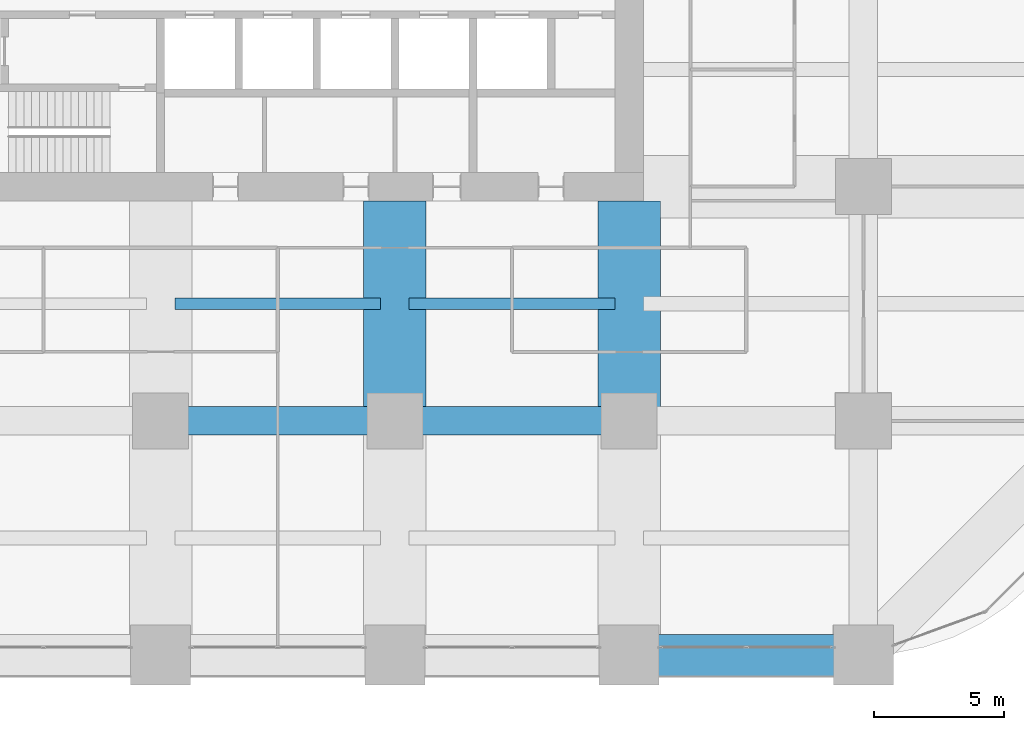
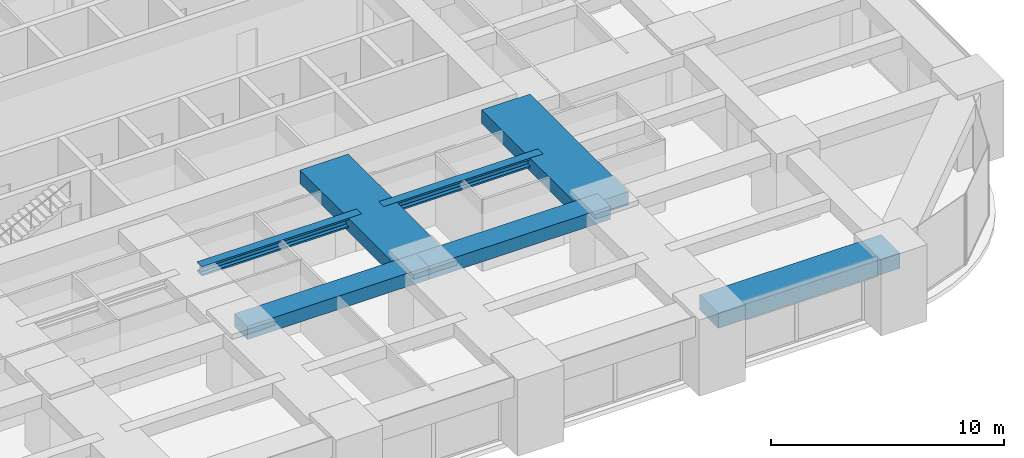
# One storey, part 14 of 43: 7 beams.
"""IFC4 building model written with IfcOpenShell, lengths in metres."""

import ifcopenshell
import ifcopenshell.guid

model = None  # the IFC model being written
_history = None  # IfcOwnerHistory: only IFC2X3 demands one
_inside = {}  # id of a spatial element -> (the spatial element, [elements in it])
_under = {}  # id of a project, library or spatial element -> (it, [spatial elements below it])
_declared = {}  # id of a project -> (the project, [libraries it declares])
_typed = {}  # id of a type object -> (the type object, [elements of that type])
_made_of = {}  # id of a material, layer set ... -> (it, [elements and type objects made of it])


def new_model(schema):
    """Start an empty IFC model of exactly this schema.

    Asked for "IFC4X3", IfcOpenShell would pick the latest addendum, in which some entities
    have other attributes; the version numbers below select the first issue.
    IFC2X3 requires an IfcOwnerHistory on every rooted entity: one is made here for all.
    """
    global model, _history
    if schema == "IFC4X3":
        model = ifcopenshell.file(schema_version=(4, 3, 0, 0))
    else:
        model = ifcopenshell.file(schema=schema)
    _inside.clear()
    _under.clear()
    _declared.clear()
    _typed.clear()
    _made_of.clear()
    _history = None
    if model.schema == "IFC2X3":
        org = make("IfcOrganization", Name="unknown")
        user = make(
            "IfcPersonAndOrganization",
            ThePerson=make("IfcPerson", FamilyName="unknown"),
            TheOrganization=org,
        )
        app = make(
            "IfcApplication",
            ApplicationDeveloper=org,
            Version="unknown",
            ApplicationFullName="unknown",
            ApplicationIdentifier="unknown",
        )
        _history = make(
            "IfcOwnerHistory",
            OwningUser=user,
            OwningApplication=app,
            ChangeAction="ADDED",
            CreationDate=0,
        )
    return model


def make(cls, **values):
    """One entity of the class cls with the attributes given. An attribute that is None is left unset."""
    return model.create_entity(
        cls, **{name: value for name, value in values.items() if value is not None}
    )


def rooted(cls, **values):
    """An entity with a GlobalId (a new one), such as an element, a storey or a relation."""
    return make(cls, GlobalId=ifcopenshell.guid.new(), OwnerHistory=_history, **values)


def si_unit(unit_type, name, prefix=None):
    """IfcSIUnit, for example si_unit("LENGTHUNIT", "METRE", prefix="MILLI")."""
    return make("IfcSIUnit", UnitType=unit_type, Prefix=prefix, Name=name)


def assignment(units):
    """IfcUnitAssignment: the units of a project."""
    return None if units is None else make("IfcUnitAssignment", Units=units)


def point(xyz):
    """IfcCartesianPoint."""
    return None if xyz is None else make("IfcCartesianPoint", Coordinates=xyz)


def direction(xyz):
    """IfcDirection."""
    return None if xyz is None else make("IfcDirection", DirectionRatios=xyz)


def frame(location, z_axis=None, x_axis=None):
    """IfcAxis2Placement3D, a coordinate frame: its origin and axes. An axis left out is left unset."""
    return make(
        "IfcAxis2Placement3D",
        Location=point(location),
        Axis=direction(z_axis),
        RefDirection=direction(x_axis),
    )


def frame_2d(location, x_axis=None):
    """IfcAxis2Placement2D, a coordinate frame in the plane: its origin and x axis."""
    return make(
        "IfcAxis2Placement2D", Location=point(location), RefDirection=direction(x_axis)
    )


def origin():
    """The frame at (0, 0, 0) with its axes left unset."""
    return frame((0.0, 0.0, 0.0))


def origin_2d():
    """The frame at (0, 0) in the plane with its x axis left unset."""
    return frame_2d((0.0, 0.0))


def place(relative_to, where):
    """IfcLocalPlacement: puts the frame where relative to a parent placement (None: the world)."""
    return make(
        "IfcLocalPlacement", PlacementRelTo=relative_to, RelativePlacement=where
    )


def context(
    kind, dimensions, precision=None, world=None, true_north=None, identifier=None
):
    """IfcGeometricRepresentationContext, for example the 3D "Model" context."""
    return make(
        "IfcGeometricRepresentationContext",
        ContextIdentifier=identifier,
        ContextType=kind,
        CoordinateSpaceDimension=dimensions,
        Precision=precision,
        WorldCoordinateSystem=world,
        TrueNorth=true_north,
    )


def subcontext(parent, identifier, kind, view, scale=None):
    """IfcGeometricRepresentationSubContext, for example "Body" below "Model"."""
    return make(
        "IfcGeometricRepresentationSubContext",
        ContextIdentifier=identifier,
        ContextType=kind,
        ParentContext=parent,
        TargetScale=scale,
        TargetView=view,
    )


def project(units=None, contexts=None):
    """IfcProject with its units and contexts."""
    return rooted(
        "IfcProject",
        Name="project",
        RepresentationContexts=contexts,
        UnitsInContext=assignment(units),
    )


def spatial(cls, under=None, at=None, **own):
    """A site, building, storey or space (cls), placed at a placement, below another one or the project."""
    s = rooted(cls, ObjectPlacement=at, **own)
    if under is not None:
        _under.setdefault(under.id(), (under, []))[1].append(s)
    return s


def profile(cls, at=None, kind="AREA", **sizes):
    """A parametric profile (cls). Its sizes go by their IFC names, for example OverallWidth=200.0."""
    return make(cls, ProfileType=kind, Position=at, **sizes)


def rectangle(**sizes):
    """IfcRectangleProfileDef."""
    return profile("IfcRectangleProfileDef", **sizes)


def i_section(**sizes):
    """IfcIShapeProfileDef."""
    return profile("IfcIShapeProfileDef", **sizes)


def extrude(swept, where, along, depth):
    """IfcExtrudedAreaSolid: the profile swept, set in the frame where, extruded along a direction by depth."""
    return make(
        "IfcExtrudedAreaSolid",
        SweptArea=swept,
        Position=where,
        ExtrudedDirection=direction(along),
        Depth=depth,
    )


def shape(context_of_items, identifier, shape_type, items):
    """IfcShapeRepresentation: the items that make up one representation, for example the "Body"."""
    return make(
        "IfcShapeRepresentation",
        ContextOfItems=context_of_items,
        RepresentationIdentifier=identifier,
        RepresentationType=shape_type,
        Items=items,
    )


def material(Name=None, Category=None):
    """IfcMaterial."""
    return make("IfcMaterial", Name=Name, Category=Category)


def material_profile(
    of_material, cross_section, Name=None, Category=None, Priority=None
):
    """IfcMaterialProfile: a cross section and its material."""
    return make(
        "IfcMaterialProfile",
        Name=Name,
        Material=of_material,
        Profile=cross_section,
        Priority=Priority,
        Category=Category,
    )


def profile_set(profiles, Name=None, composite=None):
    """IfcMaterialProfileSet."""
    return make(
        "IfcMaterialProfileSet",
        Name=Name,
        MaterialProfiles=profiles,
        CompositeProfile=composite,
    )


def made_of(thing, what):
    """Note that an element or type object is made of a material, layer set ...; save() writes the relation."""
    if what is not None:
        _made_of.setdefault(what.id(), (what, []))[1].append(thing)
    return thing


def type_object(cls, material=None, **own):
    """A type object (cls), such as IfcWallType, which elements share."""
    return made_of(rooted(cls, **own), material)


def element(
    cls,
    number,
    at=None,
    inside=None,
    cuts=None,
    type_object=None,
    material=None,
    context=None,
    identifier="Body",
    shape_type=None,
    held_by="IfcProductDefinitionShape",
    body=None,
    shapes=None,
    **own,
):
    """One element of the class cls, such as IfcWall. Its Tag is "e" and its number.

    at: its placement. inside: the storey or other place that contains it. cuts: it is an
    opening in that element (IfcRelVoidsElement). A single representation is given by context,
    identifier, shape_type and body (its items); several are given by shapes. held_by: the class
    of the entity that holds the representations. save() writes the other relations.
    """
    e = rooted(cls, Tag="e%d" % number, ObjectPlacement=at, **own)
    if body is not None:
        shapes = [shape(context, identifier, shape_type, body)]
    if shapes is not None:
        e.Representation = make(held_by, Representations=shapes)
    if inside is not None:
        _inside.setdefault(inside.id(), (inside, []))[1].append(e)
    if cuts is not None:
        rooted(
            "IfcRelVoidsElement", RelatingBuildingElement=cuts, RelatedOpeningElement=e
        )
    if type_object is not None:
        _typed.setdefault(type_object.id(), (type_object, []))[1].append(e)
    return made_of(e, material)


def aggregate(whole, parts):
    """IfcRelAggregates: a whole, such as a stair, and the parts it consists of."""
    return rooted("IfcRelAggregates", RelatingObject=whole, RelatedObjects=parts)


def save(model, path):
    """Write the relations noted so far, then the file.

    IfcRelAggregates (storeys below a building ...), IfcRelContainedInSpatialStructure (elements
    in a storey), IfcRelDefinesByType, IfcRelAssociatesMaterial and IfcRelDeclares: one each for
    every whole, place, type object, material and project.
    """
    for whole, parts in _under.values():
        aggregate(whole, parts)
    for where, things in _inside.values():
        rooted(
            "IfcRelContainedInSpatialStructure",
            RelatedElements=things,
            RelatingStructure=where,
        )
    for kind, things in _typed.values():
        rooted("IfcRelDefinesByType", RelatedObjects=things, RelatingType=kind)
    for what, things in _made_of.values():
        rooted("IfcRelAssociatesMaterial", RelatedObjects=things, RelatingMaterial=what)
    for by, libraries in _declared.values():
        rooted("IfcRelDeclares", RelatingContext=by, RelatedDefinitions=libraries)
    model.write(path)


model = new_model("IFC4")

# Units and contexts
model_context = context("Model", 3, precision=1e-05, world=origin(), true_north=direction((0.0, 1.0)))
body_context = subcontext(model_context, "Body", "Model", "MODEL_VIEW")
ifc_project = project(units=[si_unit("LENGTHUNIT", "METRE"), si_unit("AREAUNIT", "SQUARE_METRE"), si_unit("VOLUMEUNIT", "CUBIC_METRE"), si_unit("PLANEANGLEUNIT", "RADIAN"), si_unit("MASSUNIT", "GRAM", prefix="KILO")], contexts=[model_context])

# Site, building, storey
site_placement = place(None, origin())
site = spatial("IfcSite", under=ifc_project, at=site_placement, CompositionType="ELEMENT")
building_placement = place(site_placement, origin())
building = spatial("IfcBuilding", under=site, at=building_placement, Name="Zorevar Civic Tower", CompositionType="ELEMENT")
storey_placement = place(building_placement, frame((0.0, 0.0, 67.800048828125)))
storey = spatial("IfcBuildingStorey", under=building, at=storey_placement, Name="L16", CompositionType="ELEMENT", Elevation=67.800048828125)

# Beams
ifc_material_1 = material(Name="Concrete C50/60", Category="concrete")
ifc_material_profile_1 = material_profile(ifc_material_1, rectangle(XDim=1.10009765625, YDim=0.699951171875, at=origin_2d()), Name="RC 1100x700")
ifc_profile_set_1 = profile_set([ifc_material_profile_1], Name="Concrete C50/60")
beam_type_1 = type_object("IfcBeamType", Name="Beam RC 1100x700", PredefinedType="BEAM", material=ifc_profile_set_1)
for number, where, z_axis, x_axis, name in (
    (1, (27.0, 9.0, 3.39990234375), (1.0, 0.0, 0.0), (0.0, 1.0, 0.0), "Girder L17"),
    (2, (36.0, 9.0, 3.39990234375), (1.0, 0.0, 0.0), (0.0, 1.0, 0.0), "Girder L17"),
):
    element("IfcBeam", number, at=place(storey_placement, frame(where, z_axis=z_axis, x_axis=x_axis)), inside=storey, type_object=beam_type_1, Name=name, PredefinedType="BEAM", context=body_context, shape_type="SweptSolid", body=[
        extrude(rectangle(XDim=1.10009765625, YDim=0.699951171875, at=origin_2d()), origin(), (0.0, 0.0, 1.0), 9.0),
    ])
ifc_material_2 = material(Name="Concrete C50/60", Category="concrete")
ifc_material_profile_2 = material_profile(ifc_material_2, rectangle(XDim=2.39990234375, YDim=0.699951171875, at=origin_2d()), Name="RC 2400x700")
ifc_profile_set_2 = profile_set([ifc_material_profile_2], Name="Concrete C50/60")
beam_type_2 = type_object("IfcBeamType", Name="Beam RC 2400x700", PredefinedType="BEAM", material=ifc_profile_set_2)
for number, where, z_axis, x_axis, name in (
    (3, (36.0, 9.0, 3.39990234375), (0.0, 1.0, 0.0), (-1.0, 0.0, 0.0), "Girder L17"),
    (4, (45.0, 9.0, 3.39990234375), (0.0, 1.0, 0.0), (-1.0, 0.0, 0.0), "Girder L17"),
):
    element("IfcBeam", number, at=place(storey_placement, frame(where, z_axis=z_axis, x_axis=x_axis)), inside=storey, type_object=beam_type_2, Name=name, PredefinedType="BEAM", context=body_context, shape_type="SweptSolid", body=[
        extrude(rectangle(XDim=2.39990234375, YDim=0.699951171875, at=origin_2d()), origin(), (0.0, 0.0, 1.0), 8.449951171875),
    ])
ifc_material_3 = material(Name="Steel S460M (HISTAR 460)", Category="steel")
ifc_material_profile_3 = material_profile(ifc_material_3, i_section(OverallWidth=0.431884765625, OverallDepth=0.498046875, WebThickness=0.0556640625, FlangeThickness=0.0888671875, FilletRadius=0.014892578125, at=origin_2d()), Name="HD 400x744")
ifc_profile_set_3 = profile_set([ifc_material_profile_3], Name="Steel S460M (HISTAR 460)")
beam_type_3 = type_object("IfcBeamType", Name="Core bay beam HD 400x744", PredefinedType="BEAM", material=ifc_profile_set_3)
for number, where, z_axis, x_axis, name in (
    (5, (27.550048828125, 13.5, 3.5009765625), (1.0, 0.0, 0.0), (0.0, 1.0, 0.0), "Secondary beam L17"),
    (6, (36.550048828125, 13.5, 3.5009765625), (1.0, 0.0, 0.0), (0.0, 1.0, 0.0), "Secondary beam L17"),
):
    element("IfcBeam", number, at=place(storey_placement, frame(where, z_axis=z_axis, x_axis=x_axis)), inside=storey, type_object=beam_type_3, Name=name, PredefinedType="BEAM", context=body_context, shape_type="SweptSolid", body=[
        extrude(i_section(OverallWidth=0.431884765625, OverallDepth=0.498046875, WebThickness=0.0556640625, FlangeThickness=0.0888671875, FilletRadius=0.014892578125, at=origin_2d()), origin(), (0.0, 0.0, 1.0), 7.89990234375),
    ])
ifc_material_4 = material(Name="Concrete C50/60", Category="concrete")
ifc_material_profile_4 = material_profile(ifc_material_4, rectangle(XDim=1.60009765625, YDim=0.800048828125, at=origin_2d()), Name="RC 1600x800")
ifc_profile_set_4 = profile_set([ifc_material_profile_4], Name="Concrete C50/60")
beam_type_4 = type_object("IfcBeamType", Name="Edge beam RC 1600x800", PredefinedType="SPANDREL", material=ifc_profile_set_4)
beam_placement = place(storey_placement, frame((45.0, 0.0, 3.349853515625), z_axis=(1.0, 0.0, 0.0), x_axis=(0.0, 1.0, 0.0)))
element("IfcBeam", 7, at=beam_placement, inside=storey, type_object=beam_type_4, Name="Edge beam L17", PredefinedType="SPANDREL", context=body_context, shape_type="SweptSolid", body=[
    extrude(rectangle(XDim=1.60009765625, YDim=0.800048828125, at=origin_2d()), origin(), (0.0, 0.0, 1.0), 9.0),
])

save(model, "model.ifc")
